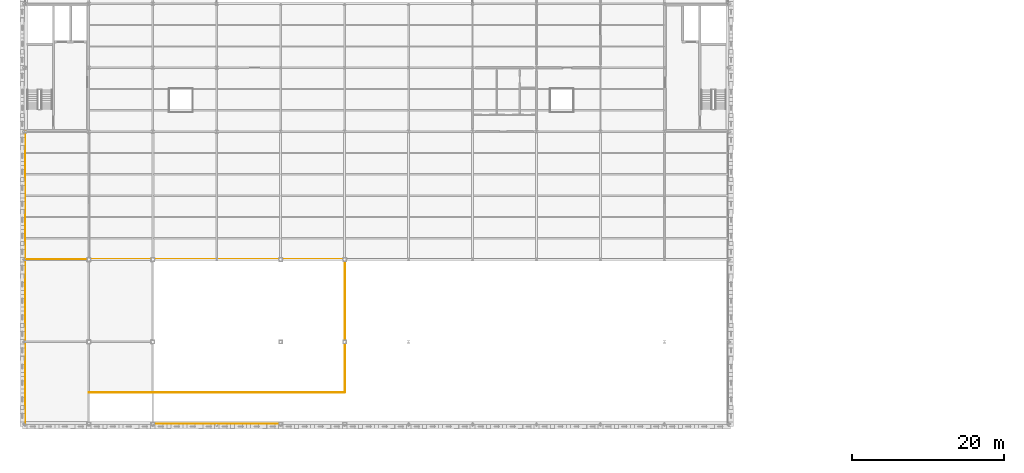
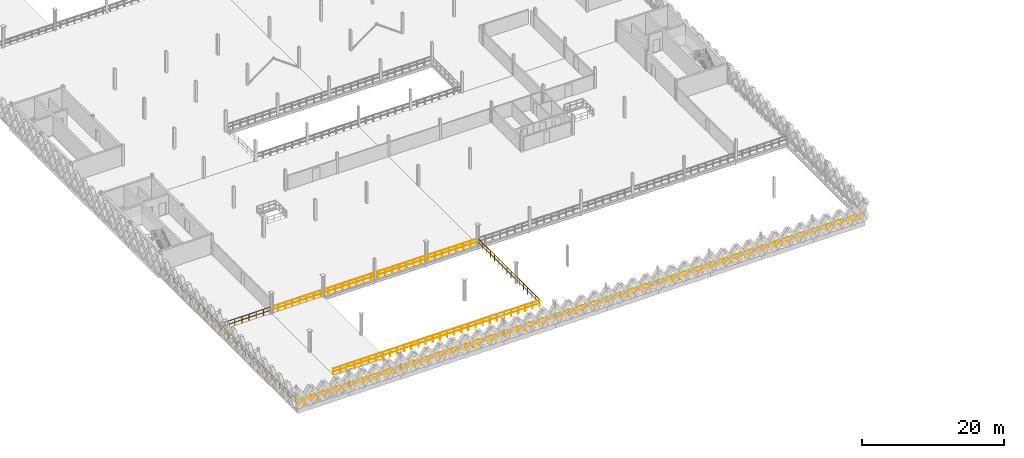
# One storey, part 43 of 47: 6 railings.
"""IFC4 building model written with IfcOpenShell, lengths in metres."""

from ifc_helpers import new_model, si_unit, direction, frame, origin, origin_2d, place, context, subcontext, project, spatial, circle, extrude, material, type_object, element, save


model = new_model("IFC4")

# Units and contexts
model_context = context("Model", 3, precision=1e-05, world=origin(), true_north=direction((0.0, 1.0)))
body_context = subcontext(model_context, "Body", "Model", "MODEL_VIEW")
ifc_project = project(units=[si_unit("LENGTHUNIT", "METRE"), si_unit("AREAUNIT", "SQUARE_METRE"), si_unit("VOLUMEUNIT", "CUBIC_METRE"), si_unit("PLANEANGLEUNIT", "RADIAN"), si_unit("MASSUNIT", "GRAM", prefix="KILO"), si_unit("THERMODYNAMICTEMPERATUREUNIT", "KELVIN"), si_unit("POWERUNIT", "WATT")], contexts=[model_context])

# Site, building, storey
site_placement = place(None, origin())
site = spatial("IfcSite", under=ifc_project, at=site_placement, CompositionType="ELEMENT")
building_placement = place(site_placement, origin())
building = spatial("IfcBuilding", under=site, at=building_placement, Name="Tembeka Court Mobility Hub", CompositionType="ELEMENT")
storey_placement = place(building_placement, frame((0.0, 0.0, 19.800048828125)))
storey = spatial("IfcBuildingStorey", under=building, at=storey_placement, Name="L05", CompositionType="ELEMENT", Elevation=19.800048828125)

# Railings
ifc_material = material(Name="Painted galvanised steel balustrade", Category="steel")
railing_type = type_object("IfcRailingType", Name="RL-GR02", PredefinedType="GUARDRAIL", material=ifc_material)
railing_1_placement = place(storey_placement, frame((0.080078125, 21.64990234375, 0.0)))
element("IfcRailing", 1, at=railing_1_placement, inside=storey, type_object=railing_type, Name="Perimeter guard GR02-0038", PredefinedType="GUARDRAIL", context=body_context, shape_type="SweptSolid", body=[
    extrude(circle(Radius=0.02392578125, at=origin_2d()), frame((0.0, 0.0, 1.09619140625), z_axis=(1.0, 0.0, 0.0), x_axis=(0.0, 1.0, 0.0)), (0.0, 0.0, 1.0), 8.239990234375),
    extrude(circle(Radius=0.02392578125, at=origin_2d()), frame((0.0, 0.0, 0.5361328125), z_axis=(1.0, 0.0, 0.0), x_axis=(0.0, 1.0, 0.0)), (0.0, 0.0, 1.0), 8.239990234375),
    extrude(circle(Radius=0.02099609375, at=origin_2d()), origin(), (0.0, 0.0, 1.0), 1.072021484375),
    extrude(circle(Radius=0.02099609375, at=origin_2d()), frame((1.17724609375, 0.0, 0.0)), (0.0, 0.0, 1.0), 1.072021484375),
    extrude(circle(Radius=0.02099609375, at=origin_2d()), frame((2.354248046875, 0.0, 0.0)), (0.0, 0.0, 1.0), 1.072021484375),
    extrude(circle(Radius=0.02099609375, at=origin_2d()), frame((3.531494140625, 0.0, 0.0)), (0.0, 0.0, 1.0), 1.072021484375),
    extrude(circle(Radius=0.02099609375, at=origin_2d()), frame((4.70849609375, 0.0, 0.0)), (0.0, 0.0, 1.0), 1.072021484375),
    extrude(circle(Radius=0.02099609375, at=origin_2d()), frame((5.8857421875, 0.0, 0.0)), (0.0, 0.0, 1.0), 1.072021484375),
    extrude(circle(Radius=0.02099609375, at=origin_2d()), frame((7.062744140625, 0.0, 0.0)), (0.0, 0.0, 1.0), 1.072021484375),
    extrude(circle(Radius=0.02099609375, at=origin_2d()), frame((8.239990234375, 0.0, 0.0)), (0.0, 0.0, 1.0), 1.072021484375),
])
railing_2_placement = place(storey_placement, frame((0.080078125, 0.050048828125, 0.0)))
element("IfcRailing", 2, at=railing_2_placement, inside=storey, type_object=railing_type, Name="Perimeter guard GR02-0167", PredefinedType="GUARDRAIL", context=body_context, shape_type="SweptSolid", body=[
    extrude(circle(Radius=0.02392578125, at=origin_2d()), frame((0.0, 0.0, 1.09619140625), z_axis=(1.0, 0.0, 0.0), x_axis=(0.0, 1.0, 0.0)), (0.0, 0.0, 1.0), 92.239990234375),
    extrude(circle(Radius=0.02392578125, at=origin_2d()), frame((0.0, 0.0, 0.5361328125), z_axis=(1.0, 0.0, 0.0), x_axis=(0.0, 1.0, 0.0)), (0.0, 0.0, 1.0), 92.239990234375),
    extrude(circle(Radius=0.02099609375, at=origin_2d()), origin(), (0.0, 0.0, 1.0), 1.072021484375),
    extrude(circle(Radius=0.02099609375, at=origin_2d()), frame((1.197998046875, 0.0, 0.0)), (0.0, 0.0, 1.0), 1.072021484375),
    extrude(circle(Radius=0.02099609375, at=origin_2d()), frame((2.395751953125, 0.0, 0.0)), (0.0, 0.0, 1.0), 1.072021484375),
    extrude(circle(Radius=0.02099609375, at=origin_2d()), frame((3.59375, 0.0, 0.0)), (0.0, 0.0, 1.0), 1.072021484375),
    extrude(circle(Radius=0.02099609375, at=origin_2d()), frame((4.791748046875, 0.0, 0.0)), (0.0, 0.0, 1.0), 1.072021484375),
    extrude(circle(Radius=0.02099609375, at=origin_2d()), frame((5.989501953125, 0.0, 0.0)), (0.0, 0.0, 1.0), 1.072021484375),
    extrude(circle(Radius=0.02099609375, at=origin_2d()), frame((7.1875, 0.0, 0.0)), (0.0, 0.0, 1.0), 1.072021484375),
    extrude(circle(Radius=0.02099609375, at=origin_2d()), frame((8.385498046875, 0.0, 0.0)), (0.0, 0.0, 1.0), 1.072021484375),
    extrude(circle(Radius=0.02099609375, at=origin_2d()), frame((9.58349609375, 0.0, 0.0)), (0.0, 0.0, 1.0), 1.072021484375),
    extrude(circle(Radius=0.02099609375, at=origin_2d()), frame((10.78125, 0.0, 0.0)), (0.0, 0.0, 1.0), 1.072021484375),
    extrude(circle(Radius=0.02099609375, at=origin_2d()), frame((11.979248046875, 0.0, 0.0)), (0.0, 0.0, 1.0), 1.072021484375),
    extrude(circle(Radius=0.02099609375, at=origin_2d()), frame((13.17724609375, 0.0, 0.0)), (0.0, 0.0, 1.0), 1.072021484375),
    extrude(circle(Radius=0.02099609375, at=origin_2d()), frame((14.375, 0.0, 0.0)), (0.0, 0.0, 1.0), 1.072021484375),
    extrude(circle(Radius=0.02099609375, at=origin_2d()), frame((15.572998046875, 0.0, 0.0)), (0.0, 0.0, 1.0), 1.072021484375),
    extrude(circle(Radius=0.02099609375, at=origin_2d()), frame((16.77099609375, 0.0, 0.0)), (0.0, 0.0, 1.0), 1.072021484375),
    extrude(circle(Radius=0.02099609375, at=origin_2d()), frame((17.96875, 0.0, 0.0)), (0.0, 0.0, 1.0), 1.072021484375),
    extrude(circle(Radius=0.02099609375, at=origin_2d()), frame((19.166748046875, 0.0, 0.0)), (0.0, 0.0, 1.0), 1.072021484375),
    extrude(circle(Radius=0.02099609375, at=origin_2d()), frame((20.36474609375, 0.0, 0.0)), (0.0, 0.0, 1.0), 1.072021484375),
    extrude(circle(Radius=0.02099609375, at=origin_2d()), frame((21.5625, 0.0, 0.0)), (0.0, 0.0, 1.0), 1.072021484375),
    extrude(circle(Radius=0.02099609375, at=origin_2d()), frame((22.760498046875, 0.0, 0.0)), (0.0, 0.0, 1.0), 1.072021484375),
    extrude(circle(Radius=0.02099609375, at=origin_2d()), frame((23.95849609375, 0.0, 0.0)), (0.0, 0.0, 1.0), 1.072021484375),
    extrude(circle(Radius=0.02099609375, at=origin_2d()), frame((25.15625, 0.0, 0.0)), (0.0, 0.0, 1.0), 1.072021484375),
    extrude(circle(Radius=0.02099609375, at=origin_2d()), frame((26.354248046875, 0.0, 0.0)), (0.0, 0.0, 1.0), 1.072021484375),
    extrude(circle(Radius=0.02099609375, at=origin_2d()), frame((27.55224609375, 0.0, 0.0)), (0.0, 0.0, 1.0), 1.072021484375),
    extrude(circle(Radius=0.02099609375, at=origin_2d()), frame((28.750244140625, 0.0, 0.0)), (0.0, 0.0, 1.0), 1.072021484375),
    extrude(circle(Radius=0.02099609375, at=origin_2d()), frame((29.947998046875, 0.0, 0.0)), (0.0, 0.0, 1.0), 1.072021484375),
    extrude(circle(Radius=0.02099609375, at=origin_2d()), frame((31.14599609375, 0.0, 0.0)), (0.0, 0.0, 1.0), 1.072021484375),
    extrude(circle(Radius=0.02099609375, at=origin_2d()), frame((32.343994140625, 0.0, 0.0)), (0.0, 0.0, 1.0), 1.072021484375),
    extrude(circle(Radius=0.02099609375, at=origin_2d()), frame((33.541748046875, 0.0, 0.0)), (0.0, 0.0, 1.0), 1.072021484375),
    extrude(circle(Radius=0.02099609375, at=origin_2d()), frame((34.73974609375, 0.0, 0.0)), (0.0, 0.0, 1.0), 1.072021484375),
    extrude(circle(Radius=0.02099609375, at=origin_2d()), frame((35.937744140625, 0.0, 0.0)), (0.0, 0.0, 1.0), 1.072021484375),
    extrude(circle(Radius=0.02099609375, at=origin_2d()), frame((37.135498046875, 0.0, 0.0)), (0.0, 0.0, 1.0), 1.072021484375),
    extrude(circle(Radius=0.02099609375, at=origin_2d()), frame((38.33349609375, 0.0, 0.0)), (0.0, 0.0, 1.0), 1.072021484375),
    extrude(circle(Radius=0.02099609375, at=origin_2d()), frame((39.531494140625, 0.0, 0.0)), (0.0, 0.0, 1.0), 1.072021484375),
    extrude(circle(Radius=0.02099609375, at=origin_2d()), frame((40.729248046875, 0.0, 0.0)), (0.0, 0.0, 1.0), 1.072021484375),
    extrude(circle(Radius=0.02099609375, at=origin_2d()), frame((41.92724609375, 0.0, 0.0)), (0.0, 0.0, 1.0), 1.072021484375),
    extrude(circle(Radius=0.02099609375, at=origin_2d()), frame((43.125244140625, 0.0, 0.0)), (0.0, 0.0, 1.0), 1.072021484375),
    extrude(circle(Radius=0.02099609375, at=origin_2d()), frame((44.322998046875, 0.0, 0.0)), (0.0, 0.0, 1.0), 1.072021484375),
    extrude(circle(Radius=0.02099609375, at=origin_2d()), frame((45.52099609375, 0.0, 0.0)), (0.0, 0.0, 1.0), 1.072021484375),
    extrude(circle(Radius=0.02099609375, at=origin_2d()), frame((46.718994140625, 0.0, 0.0)), (0.0, 0.0, 1.0), 1.072021484375),
    extrude(circle(Radius=0.02099609375, at=origin_2d()), frame((47.9169921875, 0.0, 0.0)), (0.0, 0.0, 1.0), 1.072021484375),
    extrude(circle(Radius=0.02099609375, at=origin_2d()), frame((49.11474609375, 0.0, 0.0)), (0.0, 0.0, 1.0), 1.072021484375),
    extrude(circle(Radius=0.02099609375, at=origin_2d()), frame((50.312744140625, 0.0, 0.0)), (0.0, 0.0, 1.0), 1.072021484375),
    extrude(circle(Radius=0.02099609375, at=origin_2d()), frame((51.5107421875, 0.0, 0.0)), (0.0, 0.0, 1.0), 1.072021484375),
    extrude(circle(Radius=0.02099609375, at=origin_2d()), frame((52.70849609375, 0.0, 0.0)), (0.0, 0.0, 1.0), 1.072021484375),
    extrude(circle(Radius=0.02099609375, at=origin_2d()), frame((53.906494140625, 0.0, 0.0)), (0.0, 0.0, 1.0), 1.072021484375),
    extrude(circle(Radius=0.02099609375, at=origin_2d()), frame((55.1044921875, 0.0, 0.0)), (0.0, 0.0, 1.0), 1.072021484375),
    extrude(circle(Radius=0.02099609375, at=origin_2d()), frame((56.30224609375, 0.0, 0.0)), (0.0, 0.0, 1.0), 1.072021484375),
    extrude(circle(Radius=0.02099609375, at=origin_2d()), frame((57.500244140625, 0.0, 0.0)), (0.0, 0.0, 1.0), 1.072021484375),
    extrude(circle(Radius=0.02099609375, at=origin_2d()), frame((58.6982421875, 0.0, 0.0)), (0.0, 0.0, 1.0), 1.072021484375),
    extrude(circle(Radius=0.02099609375, at=origin_2d()), frame((59.89599609375, 0.0, 0.0)), (0.0, 0.0, 1.0), 1.072021484375),
    extrude(circle(Radius=0.02099609375, at=origin_2d()), frame((61.093994140625, 0.0, 0.0)), (0.0, 0.0, 1.0), 1.072021484375),
    extrude(circle(Radius=0.02099609375, at=origin_2d()), frame((62.2919921875, 0.0, 0.0)), (0.0, 0.0, 1.0), 1.072021484375),
    extrude(circle(Radius=0.02099609375, at=origin_2d()), frame((63.48974609375, 0.0, 0.0)), (0.0, 0.0, 1.0), 1.072021484375),
    extrude(circle(Radius=0.02099609375, at=origin_2d()), frame((64.687744140625, 0.0, 0.0)), (0.0, 0.0, 1.0), 1.072021484375),
    extrude(circle(Radius=0.02099609375, at=origin_2d()), frame((65.8857421875, 0.0, 0.0)), (0.0, 0.0, 1.0), 1.072021484375),
    extrude(circle(Radius=0.02099609375, at=origin_2d()), frame((67.083740234375, 0.0, 0.0)), (0.0, 0.0, 1.0), 1.072021484375),
    extrude(circle(Radius=0.02099609375, at=origin_2d()), frame((68.281494140625, 0.0, 0.0)), (0.0, 0.0, 1.0), 1.072021484375),
    extrude(circle(Radius=0.02099609375, at=origin_2d()), frame((69.4794921875, 0.0, 0.0)), (0.0, 0.0, 1.0), 1.072021484375),
    extrude(circle(Radius=0.02099609375, at=origin_2d()), frame((70.677490234375, 0.0, 0.0)), (0.0, 0.0, 1.0), 1.072021484375),
    extrude(circle(Radius=0.02099609375, at=origin_2d()), frame((71.875244140625, 0.0, 0.0)), (0.0, 0.0, 1.0), 1.072021484375),
    extrude(circle(Radius=0.02099609375, at=origin_2d()), frame((73.0732421875, 0.0, 0.0)), (0.0, 0.0, 1.0), 1.072021484375),
    extrude(circle(Radius=0.02099609375, at=origin_2d()), frame((74.271240234375, 0.0, 0.0)), (0.0, 0.0, 1.0), 1.072021484375),
    extrude(circle(Radius=0.02099609375, at=origin_2d()), frame((75.468994140625, 0.0, 0.0)), (0.0, 0.0, 1.0), 1.072021484375),
    extrude(circle(Radius=0.02099609375, at=origin_2d()), frame((76.6669921875, 0.0, 0.0)), (0.0, 0.0, 1.0), 1.072021484375),
    extrude(circle(Radius=0.02099609375, at=origin_2d()), frame((77.864990234375, 0.0, 0.0)), (0.0, 0.0, 1.0), 1.072021484375),
    extrude(circle(Radius=0.02099609375, at=origin_2d()), frame((79.062744140625, 0.0, 0.0)), (0.0, 0.0, 1.0), 1.072021484375),
    extrude(circle(Radius=0.02099609375, at=origin_2d()), frame((80.2607421875, 0.0, 0.0)), (0.0, 0.0, 1.0), 1.072021484375),
    extrude(circle(Radius=0.02099609375, at=origin_2d()), frame((81.458740234375, 0.0, 0.0)), (0.0, 0.0, 1.0), 1.072021484375),
    extrude(circle(Radius=0.02099609375, at=origin_2d()), frame((82.656494140625, 0.0, 0.0)), (0.0, 0.0, 1.0), 1.072021484375),
    extrude(circle(Radius=0.02099609375, at=origin_2d()), frame((83.8544921875, 0.0, 0.0)), (0.0, 0.0, 1.0), 1.072021484375),
    extrude(circle(Radius=0.02099609375, at=origin_2d()), frame((85.052490234375, 0.0, 0.0)), (0.0, 0.0, 1.0), 1.072021484375),
    extrude(circle(Radius=0.02099609375, at=origin_2d()), frame((86.25048828125, 0.0, 0.0)), (0.0, 0.0, 1.0), 1.072021484375),
    extrude(circle(Radius=0.02099609375, at=origin_2d()), frame((87.4482421875, 0.0, 0.0)), (0.0, 0.0, 1.0), 1.072021484375),
    extrude(circle(Radius=0.02099609375, at=origin_2d()), frame((88.646240234375, 0.0, 0.0)), (0.0, 0.0, 1.0), 1.072021484375),
    extrude(circle(Radius=0.02099609375, at=origin_2d()), frame((89.84423828125, 0.0, 0.0)), (0.0, 0.0, 1.0), 1.072021484375),
    extrude(circle(Radius=0.02099609375, at=origin_2d()), frame((91.0419921875, 0.0, 0.0)), (0.0, 0.0, 1.0), 1.072021484375),
    extrude(circle(Radius=0.02099609375, at=origin_2d()), frame((92.239990234375, 0.0, 0.0)), (0.0, 0.0, 1.0), 1.072021484375),
])
railing_3_placement = place(storey_placement, frame((0.050048828125, 0.080078125, 0.0)))
element("IfcRailing", 3, at=railing_3_placement, inside=storey, type_object=railing_type, Name="Perimeter guard GR02-0169", PredefinedType="GUARDRAIL", context=body_context, shape_type="SweptSolid", body=[
    extrude(circle(Radius=0.02392578125, at=origin_2d()), frame((0.0, 0.0, 1.09619140625), z_axis=(0.0, 1.0, 0.0), x_axis=(-1.0, 0.0, 0.0)), (0.0, 0.0, 1.0), 38.2900390625),
    extrude(circle(Radius=0.02392578125, at=origin_2d()), frame((0.0, 0.0, 0.5361328125), z_axis=(0.0, 1.0, 0.0), x_axis=(-1.0, 0.0, 0.0)), (0.0, 0.0, 1.0), 38.2900390625),
    extrude(circle(Radius=0.02099609375, at=origin_2d()), origin(), (0.0, 0.0, 1.0), 1.072021484375),
    extrude(circle(Radius=0.02099609375, at=origin_2d()), frame((0.0, 1.196533203125, 0.0)), (0.0, 0.0, 1.0), 1.072021484375),
    extrude(circle(Radius=0.02099609375, at=origin_2d()), frame((0.0, 2.39306640625, 0.0)), (0.0, 0.0, 1.0), 1.072021484375),
    extrude(circle(Radius=0.02099609375, at=origin_2d()), frame((0.0, 3.589599609375, 0.0)), (0.0, 0.0, 1.0), 1.072021484375),
    extrude(circle(Radius=0.02099609375, at=origin_2d()), frame((0.0, 4.7861328125, 0.0)), (0.0, 0.0, 1.0), 1.072021484375),
    extrude(circle(Radius=0.02099609375, at=origin_2d()), frame((0.0, 5.98291015625, 0.0)), (0.0, 0.0, 1.0), 1.072021484375),
    extrude(circle(Radius=0.02099609375, at=origin_2d()), frame((0.0, 7.179443359375, 0.0)), (0.0, 0.0, 1.0), 1.072021484375),
    extrude(circle(Radius=0.02099609375, at=origin_2d()), frame((0.0, 8.3759765625, 0.0)), (0.0, 0.0, 1.0), 1.072021484375),
    extrude(circle(Radius=0.02099609375, at=origin_2d()), frame((0.0, 9.572509765625, 0.0)), (0.0, 0.0, 1.0), 1.072021484375),
    extrude(circle(Radius=0.02099609375, at=origin_2d()), frame((0.0, 10.76904296875, 0.0)), (0.0, 0.0, 1.0), 1.072021484375),
    extrude(circle(Radius=0.02099609375, at=origin_2d()), frame((0.0, 11.965576171875, 0.0)), (0.0, 0.0, 1.0), 1.072021484375),
    extrude(circle(Radius=0.02099609375, at=origin_2d()), frame((0.0, 13.162109375, 0.0)), (0.0, 0.0, 1.0), 1.072021484375),
    extrude(circle(Radius=0.02099609375, at=origin_2d()), frame((0.0, 14.35888671875, 0.0)), (0.0, 0.0, 1.0), 1.072021484375),
    extrude(circle(Radius=0.02099609375, at=origin_2d()), frame((0.0, 15.555419921875, 0.0)), (0.0, 0.0, 1.0), 1.072021484375),
    extrude(circle(Radius=0.02099609375, at=origin_2d()), frame((0.0, 16.751953125, 0.0)), (0.0, 0.0, 1.0), 1.072021484375),
    extrude(circle(Radius=0.02099609375, at=origin_2d()), frame((0.0, 17.948486328125, 0.0)), (0.0, 0.0, 1.0), 1.072021484375),
    extrude(circle(Radius=0.02099609375, at=origin_2d()), frame((0.0, 19.14501953125, 0.0)), (0.0, 0.0, 1.0), 1.072021484375),
    extrude(circle(Radius=0.02099609375, at=origin_2d()), frame((0.0, 20.341552734375, 0.0)), (0.0, 0.0, 1.0), 1.072021484375),
    extrude(circle(Radius=0.02099609375, at=origin_2d()), frame((0.0, 21.5380859375, 0.0)), (0.0, 0.0, 1.0), 1.072021484375),
    extrude(circle(Radius=0.02099609375, at=origin_2d()), frame((0.0, 22.734619140625, 0.0)), (0.0, 0.0, 1.0), 1.072021484375),
    extrude(circle(Radius=0.02099609375, at=origin_2d()), frame((0.0, 23.93115234375, 0.0)), (0.0, 0.0, 1.0), 1.072021484375),
    extrude(circle(Radius=0.02099609375, at=origin_2d()), frame((0.0, 25.1279296875, 0.0)), (0.0, 0.0, 1.0), 1.072021484375),
    extrude(circle(Radius=0.02099609375, at=origin_2d()), frame((0.0, 26.324462890625, 0.0)), (0.0, 0.0, 1.0), 1.072021484375),
    extrude(circle(Radius=0.02099609375, at=origin_2d()), frame((0.0, 27.52099609375, 0.0)), (0.0, 0.0, 1.0), 1.072021484375),
    extrude(circle(Radius=0.02099609375, at=origin_2d()), frame((0.0, 28.717529296875, 0.0)), (0.0, 0.0, 1.0), 1.072021484375),
    extrude(circle(Radius=0.02099609375, at=origin_2d()), frame((0.0, 29.9140625, 0.0)), (0.0, 0.0, 1.0), 1.072021484375),
    extrude(circle(Radius=0.02099609375, at=origin_2d()), frame((0.0, 31.110595703125, 0.0)), (0.0, 0.0, 1.0), 1.072021484375),
    extrude(circle(Radius=0.02099609375, at=origin_2d()), frame((0.0, 32.30712890625, 0.0)), (0.0, 0.0, 1.0), 1.072021484375),
    extrude(circle(Radius=0.02099609375, at=origin_2d()), frame((0.0, 33.50390625, 0.0)), (0.0, 0.0, 1.0), 1.072021484375),
    extrude(circle(Radius=0.02099609375, at=origin_2d()), frame((0.0, 34.700439453125, 0.0)), (0.0, 0.0, 1.0), 1.072021484375),
    extrude(circle(Radius=0.02099609375, at=origin_2d()), frame((0.0, 35.89697265625, 0.0)), (0.0, 0.0, 1.0), 1.072021484375),
    extrude(circle(Radius=0.02099609375, at=origin_2d()), frame((0.0, 37.093505859375, 0.0)), (0.0, 0.0, 1.0), 1.072021484375),
    extrude(circle(Radius=0.02099609375, at=origin_2d()), frame((0.0, 38.2900390625, 0.0)), (0.0, 0.0, 1.0), 1.072021484375),
])
railing_4_placement = place(storey_placement, frame((8.3798828125, 4.14990234375, 0.0)))
element("IfcRailing", 4, at=railing_4_placement, inside=storey, type_object=railing_type, Name="Perimeter guard GR02-0274", PredefinedType="GUARDRAIL", context=body_context, shape_type="SweptSolid", body=[
    extrude(circle(Radius=0.02392578125, at=origin_2d()), frame((0.0, 0.0, 1.09619140625), z_axis=(1.0, 0.0, 0.0), x_axis=(0.0, 1.0, 0.0)), (0.0, 0.0, 1.0), 33.64013671875),
    extrude(circle(Radius=0.02392578125, at=origin_2d()), frame((0.0, 0.0, 0.5361328125), z_axis=(1.0, 0.0, 0.0), x_axis=(0.0, 1.0, 0.0)), (0.0, 0.0, 1.0), 33.64013671875),
    extrude(circle(Radius=0.02099609375, at=origin_2d()), origin(), (0.0, 0.0, 1.0), 1.072021484375),
    extrude(circle(Radius=0.02099609375, at=origin_2d()), frame((1.159912109375, 0.0, 0.0)), (0.0, 0.0, 1.0), 1.072021484375),
    extrude(circle(Radius=0.02099609375, at=origin_2d()), frame((2.320068359375, 0.0, 0.0)), (0.0, 0.0, 1.0), 1.072021484375),
    extrude(circle(Radius=0.02099609375, at=origin_2d()), frame((3.47998046875, 0.0, 0.0)), (0.0, 0.0, 1.0), 1.072021484375),
    extrude(circle(Radius=0.02099609375, at=origin_2d()), frame((4.64013671875, 0.0, 0.0)), (0.0, 0.0, 1.0), 1.072021484375),
    extrude(circle(Radius=0.02099609375, at=origin_2d()), frame((5.800048828125, 0.0, 0.0)), (0.0, 0.0, 1.0), 1.072021484375),
    extrude(circle(Radius=0.02099609375, at=origin_2d()), frame((6.9599609375, 0.0, 0.0)), (0.0, 0.0, 1.0), 1.072021484375),
    extrude(circle(Radius=0.02099609375, at=origin_2d()), frame((8.1201171875, 0.0, 0.0)), (0.0, 0.0, 1.0), 1.072021484375),
    extrude(circle(Radius=0.02099609375, at=origin_2d()), frame((9.280029296875, 0.0, 0.0)), (0.0, 0.0, 1.0), 1.072021484375),
    extrude(circle(Radius=0.02099609375, at=origin_2d()), frame((10.43994140625, 0.0, 0.0)), (0.0, 0.0, 1.0), 1.072021484375),
    extrude(circle(Radius=0.02099609375, at=origin_2d()), frame((11.60009765625, 0.0, 0.0)), (0.0, 0.0, 1.0), 1.072021484375),
    extrude(circle(Radius=0.02099609375, at=origin_2d()), frame((12.760009765625, 0.0, 0.0)), (0.0, 0.0, 1.0), 1.072021484375),
    extrude(circle(Radius=0.02099609375, at=origin_2d()), frame((13.920166015625, 0.0, 0.0)), (0.0, 0.0, 1.0), 1.072021484375),
    extrude(circle(Radius=0.02099609375, at=origin_2d()), frame((15.080078125, 0.0, 0.0)), (0.0, 0.0, 1.0), 1.072021484375),
    extrude(circle(Radius=0.02099609375, at=origin_2d()), frame((16.239990234375, 0.0, 0.0)), (0.0, 0.0, 1.0), 1.072021484375),
    extrude(circle(Radius=0.02099609375, at=origin_2d()), frame((17.400146484375, 0.0, 0.0)), (0.0, 0.0, 1.0), 1.072021484375),
    extrude(circle(Radius=0.02099609375, at=origin_2d()), frame((18.56005859375, 0.0, 0.0)), (0.0, 0.0, 1.0), 1.072021484375),
    extrude(circle(Radius=0.02099609375, at=origin_2d()), frame((19.719970703125, 0.0, 0.0)), (0.0, 0.0, 1.0), 1.072021484375),
    extrude(circle(Radius=0.02099609375, at=origin_2d()), frame((20.880126953125, 0.0, 0.0)), (0.0, 0.0, 1.0), 1.072021484375),
    extrude(circle(Radius=0.02099609375, at=origin_2d()), frame((22.0400390625, 0.0, 0.0)), (0.0, 0.0, 1.0), 1.072021484375),
    extrude(circle(Radius=0.02099609375, at=origin_2d()), frame((23.2001953125, 0.0, 0.0)), (0.0, 0.0, 1.0), 1.072021484375),
    extrude(circle(Radius=0.02099609375, at=origin_2d()), frame((24.360107421875, 0.0, 0.0)), (0.0, 0.0, 1.0), 1.072021484375),
    extrude(circle(Radius=0.02099609375, at=origin_2d()), frame((25.52001953125, 0.0, 0.0)), (0.0, 0.0, 1.0), 1.072021484375),
    extrude(circle(Radius=0.02099609375, at=origin_2d()), frame((26.68017578125, 0.0, 0.0)), (0.0, 0.0, 1.0), 1.072021484375),
    extrude(circle(Radius=0.02099609375, at=origin_2d()), frame((27.840087890625, 0.0, 0.0)), (0.0, 0.0, 1.0), 1.072021484375),
    extrude(circle(Radius=0.02099609375, at=origin_2d()), frame((29.0, 0.0, 0.0)), (0.0, 0.0, 1.0), 1.072021484375),
    extrude(circle(Radius=0.02099609375, at=origin_2d()), frame((30.16015625, 0.0, 0.0)), (0.0, 0.0, 1.0), 1.072021484375),
    extrude(circle(Radius=0.02099609375, at=origin_2d()), frame((31.320068359375, 0.0, 0.0)), (0.0, 0.0, 1.0), 1.072021484375),
    extrude(circle(Radius=0.02099609375, at=origin_2d()), frame((32.480224609375, 0.0, 0.0)), (0.0, 0.0, 1.0), 1.072021484375),
    extrude(circle(Radius=0.02099609375, at=origin_2d()), frame((33.64013671875, 0.0, 0.0)), (0.0, 0.0, 1.0), 1.072021484375),
])
railing_5_placement = place(storey_placement, frame((8.3798828125, 21.64990234375, 0.0)))
element("IfcRailing", 5, at=railing_5_placement, inside=storey, type_object=railing_type, Name="Perimeter guard GR02-0275", PredefinedType="GUARDRAIL", context=body_context, shape_type="SweptSolid", body=[
    extrude(circle(Radius=0.02392578125, at=origin_2d()), frame((0.0, 0.0, 1.09619140625), z_axis=(1.0, 0.0, 0.0), x_axis=(0.0, 1.0, 0.0)), (0.0, 0.0, 1.0), 33.64013671875),
    extrude(circle(Radius=0.02392578125, at=origin_2d()), frame((0.0, 0.0, 0.5361328125), z_axis=(1.0, 0.0, 0.0), x_axis=(0.0, 1.0, 0.0)), (0.0, 0.0, 1.0), 33.64013671875),
    extrude(circle(Radius=0.02099609375, at=origin_2d()), origin(), (0.0, 0.0, 1.0), 1.072021484375),
    extrude(circle(Radius=0.02099609375, at=origin_2d()), frame((1.159912109375, 0.0, 0.0)), (0.0, 0.0, 1.0), 1.072021484375),
    extrude(circle(Radius=0.02099609375, at=origin_2d()), frame((2.320068359375, 0.0, 0.0)), (0.0, 0.0, 1.0), 1.072021484375),
    extrude(circle(Radius=0.02099609375, at=origin_2d()), frame((3.47998046875, 0.0, 0.0)), (0.0, 0.0, 1.0), 1.072021484375),
    extrude(circle(Radius=0.02099609375, at=origin_2d()), frame((4.64013671875, 0.0, 0.0)), (0.0, 0.0, 1.0), 1.072021484375),
    extrude(circle(Radius=0.02099609375, at=origin_2d()), frame((5.800048828125, 0.0, 0.0)), (0.0, 0.0, 1.0), 1.072021484375),
    extrude(circle(Radius=0.02099609375, at=origin_2d()), frame((6.9599609375, 0.0, 0.0)), (0.0, 0.0, 1.0), 1.072021484375),
    extrude(circle(Radius=0.02099609375, at=origin_2d()), frame((8.1201171875, 0.0, 0.0)), (0.0, 0.0, 1.0), 1.072021484375),
    extrude(circle(Radius=0.02099609375, at=origin_2d()), frame((9.280029296875, 0.0, 0.0)), (0.0, 0.0, 1.0), 1.072021484375),
    extrude(circle(Radius=0.02099609375, at=origin_2d()), frame((10.43994140625, 0.0, 0.0)), (0.0, 0.0, 1.0), 1.072021484375),
    extrude(circle(Radius=0.02099609375, at=origin_2d()), frame((11.60009765625, 0.0, 0.0)), (0.0, 0.0, 1.0), 1.072021484375),
    extrude(circle(Radius=0.02099609375, at=origin_2d()), frame((12.760009765625, 0.0, 0.0)), (0.0, 0.0, 1.0), 1.072021484375),
    extrude(circle(Radius=0.02099609375, at=origin_2d()), frame((13.920166015625, 0.0, 0.0)), (0.0, 0.0, 1.0), 1.072021484375),
    extrude(circle(Radius=0.02099609375, at=origin_2d()), frame((15.080078125, 0.0, 0.0)), (0.0, 0.0, 1.0), 1.072021484375),
    extrude(circle(Radius=0.02099609375, at=origin_2d()), frame((16.239990234375, 0.0, 0.0)), (0.0, 0.0, 1.0), 1.072021484375),
    extrude(circle(Radius=0.02099609375, at=origin_2d()), frame((17.400146484375, 0.0, 0.0)), (0.0, 0.0, 1.0), 1.072021484375),
    extrude(circle(Radius=0.02099609375, at=origin_2d()), frame((18.56005859375, 0.0, 0.0)), (0.0, 0.0, 1.0), 1.072021484375),
    extrude(circle(Radius=0.02099609375, at=origin_2d()), frame((19.719970703125, 0.0, 0.0)), (0.0, 0.0, 1.0), 1.072021484375),
    extrude(circle(Radius=0.02099609375, at=origin_2d()), frame((20.880126953125, 0.0, 0.0)), (0.0, 0.0, 1.0), 1.072021484375),
    extrude(circle(Radius=0.02099609375, at=origin_2d()), frame((22.0400390625, 0.0, 0.0)), (0.0, 0.0, 1.0), 1.072021484375),
    extrude(circle(Radius=0.02099609375, at=origin_2d()), frame((23.2001953125, 0.0, 0.0)), (0.0, 0.0, 1.0), 1.072021484375),
    extrude(circle(Radius=0.02099609375, at=origin_2d()), frame((24.360107421875, 0.0, 0.0)), (0.0, 0.0, 1.0), 1.072021484375),
    extrude(circle(Radius=0.02099609375, at=origin_2d()), frame((25.52001953125, 0.0, 0.0)), (0.0, 0.0, 1.0), 1.072021484375),
    extrude(circle(Radius=0.02099609375, at=origin_2d()), frame((26.68017578125, 0.0, 0.0)), (0.0, 0.0, 1.0), 1.072021484375),
    extrude(circle(Radius=0.02099609375, at=origin_2d()), frame((27.840087890625, 0.0, 0.0)), (0.0, 0.0, 1.0), 1.072021484375),
    extrude(circle(Radius=0.02099609375, at=origin_2d()), frame((29.0, 0.0, 0.0)), (0.0, 0.0, 1.0), 1.072021484375),
    extrude(circle(Radius=0.02099609375, at=origin_2d()), frame((30.16015625, 0.0, 0.0)), (0.0, 0.0, 1.0), 1.072021484375),
    extrude(circle(Radius=0.02099609375, at=origin_2d()), frame((31.320068359375, 0.0, 0.0)), (0.0, 0.0, 1.0), 1.072021484375),
    extrude(circle(Radius=0.02099609375, at=origin_2d()), frame((32.480224609375, 0.0, 0.0)), (0.0, 0.0, 1.0), 1.072021484375),
    extrude(circle(Radius=0.02099609375, at=origin_2d()), frame((33.64013671875, 0.0, 0.0)), (0.0, 0.0, 1.0), 1.072021484375),
])
railing_6_placement = place(storey_placement, frame((42.050048828125, 4.179931640625, 0.0)))
element("IfcRailing", 6, at=railing_6_placement, inside=storey, type_object=railing_type, Name="Perimeter guard GR02-0276", PredefinedType="GUARDRAIL", context=body_context, shape_type="SweptSolid", body=[
    extrude(circle(Radius=0.02392578125, at=origin_2d()), frame((0.0, 0.0, 1.09619140625), z_axis=(0.0, 1.0, 0.0), x_axis=(-1.0, 0.0, 0.0)), (0.0, 0.0, 1.0), 17.440185546875),
    extrude(circle(Radius=0.02392578125, at=origin_2d()), frame((0.0, 0.0, 0.5361328125), z_axis=(0.0, 1.0, 0.0), x_axis=(-1.0, 0.0, 0.0)), (0.0, 0.0, 1.0), 17.440185546875),
    extrude(circle(Radius=0.02099609375, at=origin_2d()), origin(), (0.0, 0.0, 1.0), 1.072021484375),
    extrude(circle(Radius=0.02099609375, at=origin_2d()), frame((0.0, 1.16259765625, 0.0)), (0.0, 0.0, 1.0), 1.072021484375),
    extrude(circle(Radius=0.02099609375, at=origin_2d()), frame((0.0, 2.325439453125, 0.0)), (0.0, 0.0, 1.0), 1.072021484375),
    extrude(circle(Radius=0.02099609375, at=origin_2d()), frame((0.0, 3.488037109375, 0.0)), (0.0, 0.0, 1.0), 1.072021484375),
    extrude(circle(Radius=0.02099609375, at=origin_2d()), frame((0.0, 4.650634765625, 0.0)), (0.0, 0.0, 1.0), 1.072021484375),
    extrude(circle(Radius=0.02099609375, at=origin_2d()), frame((0.0, 5.8134765625, 0.0)), (0.0, 0.0, 1.0), 1.072021484375),
    extrude(circle(Radius=0.02099609375, at=origin_2d()), frame((0.0, 6.97607421875, 0.0)), (0.0, 0.0, 1.0), 1.072021484375),
    extrude(circle(Radius=0.02099609375, at=origin_2d()), frame((0.0, 8.138671875, 0.0)), (0.0, 0.0, 1.0), 1.072021484375),
    extrude(circle(Radius=0.02099609375, at=origin_2d()), frame((0.0, 9.301513671875, 0.0)), (0.0, 0.0, 1.0), 1.072021484375),
    extrude(circle(Radius=0.02099609375, at=origin_2d()), frame((0.0, 10.464111328125, 0.0)), (0.0, 0.0, 1.0), 1.072021484375),
    extrude(circle(Radius=0.02099609375, at=origin_2d()), frame((0.0, 11.626708984375, 0.0)), (0.0, 0.0, 1.0), 1.072021484375),
    extrude(circle(Radius=0.02099609375, at=origin_2d()), frame((0.0, 12.78955078125, 0.0)), (0.0, 0.0, 1.0), 1.072021484375),
    extrude(circle(Radius=0.02099609375, at=origin_2d()), frame((0.0, 13.9521484375, 0.0)), (0.0, 0.0, 1.0), 1.072021484375),
    extrude(circle(Radius=0.02099609375, at=origin_2d()), frame((0.0, 15.11474609375, 0.0)), (0.0, 0.0, 1.0), 1.072021484375),
    extrude(circle(Radius=0.02099609375, at=origin_2d()), frame((0.0, 16.277587890625, 0.0)), (0.0, 0.0, 1.0), 1.072021484375),
    extrude(circle(Radius=0.02099609375, at=origin_2d()), frame((0.0, 17.440185546875, 0.0)), (0.0, 0.0, 1.0), 1.072021484375),
])

save(model, "model.ifc")
